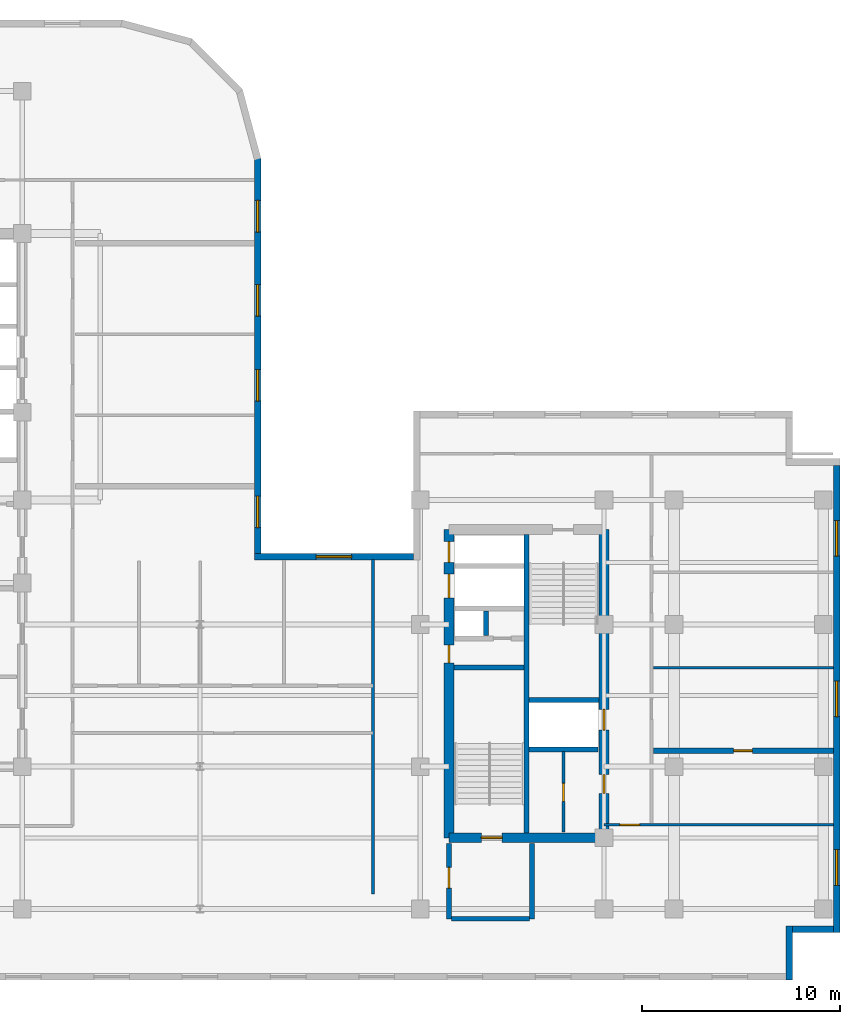
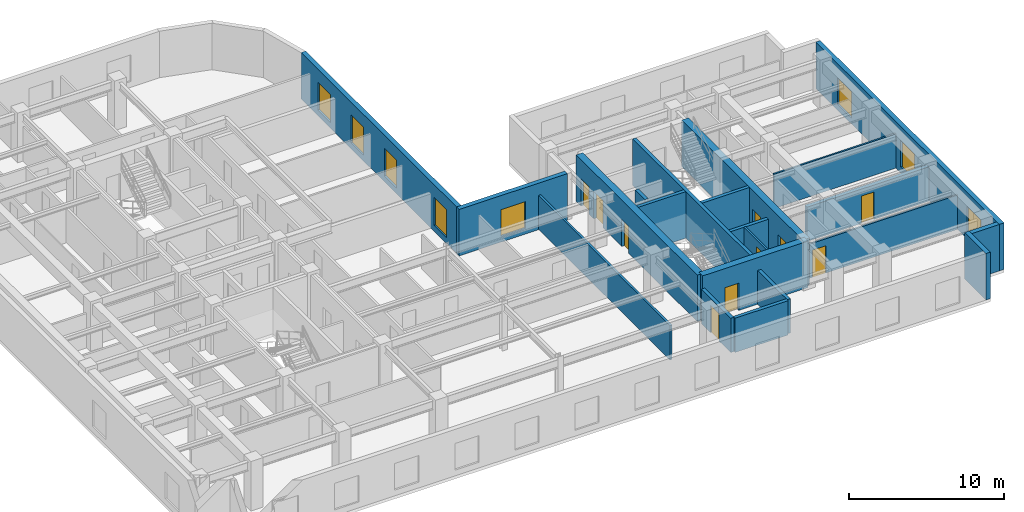
# One storey, part 6 of 11: 21 walls, 10 doors, 8 windows, 18 openings.
"""IFC4 building model written with IfcOpenShell, lengths in metres."""

from ifc_helpers import new_model, entity, si_unit, converted_unit, direction, frame, origin_with_axes, origin_2d_with_axis, place, context, subcontext, project, spatial, polyline, rectangle, outline, extrude, material, layer, layer_set, type_object, element, fill, save


model = new_model("IFC4")

# Units and contexts
model_context = context("Model", 3, precision=1e-05, world=origin_with_axes(), true_north=direction((0.0, 1.0)))
body_context = subcontext(model_context, "Body", "Model", "MODEL_VIEW")
ifc_project = project(units=[si_unit("LENGTHUNIT", "METRE"), si_unit("AREAUNIT", "SQUARE_METRE"), si_unit("VOLUMEUNIT", "CUBIC_METRE"), converted_unit("PLANEANGLEUNIT", "DEGREE", entity("IfcPlaneAngleMeasure", 0.017453292519943295), si_unit("PLANEANGLEUNIT", "RADIAN"), dimensions=[0, 0, 0, 0, 0, 0, 0]), si_unit("MASSUNIT", "GRAM", prefix="KILO"), si_unit("THERMODYNAMICTEMPERATUREUNIT", "KELVIN")], contexts=[model_context])

# Site, building, storey
site_placement = place(None, origin_with_axes())
site = spatial("IfcSite", under=ifc_project, at=site_placement, CompositionType="ELEMENT")
building_placement = place(site_placement, origin_with_axes())
building = spatial("IfcBuilding", under=site, at=building_placement, Name="Varnlund Millrace Tower", CompositionType="ELEMENT")
storey_placement = place(building_placement, frame((0.0, 0.0, 208.2), z_axis=(0.0, 0.0, 1.0), x_axis=(1.0, 0.0, 0.0)))
storey = spatial("IfcBuildingStorey", under=building, at=storey_placement, Name="L51", CompositionType="ELEMENT", Elevation=208.2)

# Wall, openings, doors
ifc_material_1 = material(Name="Concrete C70/85", Category="concrete")
ifc_layer_1 = layer(ifc_material_1, 0.5, Name="Concrete C70/85")
ifc_layer_set_1 = layer_set([ifc_layer_1], Name="Concrete C70/85")
wall_type_1 = type_object("IfcWallType", Name="Type-CoreWall-Shear-500-C70", PredefinedType="SHEAR", material=ifc_layer_set_1)
wall_1_placement = place(storey_placement, frame((40.2, 7.2, 0.0), z_axis=(0.0, 0.0, 1.0), x_axis=(0.0, 1.0, 0.0)))
wall_1 = element("IfcWall", 1, at=wall_1_placement, inside=storey, type_object=wall_type_1, Name="Type-CoreWall-Shear-500-C70", PredefinedType="SHEAR", context=body_context, shape_type="SweptSolid", body=[
    extrude(outline(polyline([(0.0, -0.25), (15.6, -0.25), (15.6, 0.25), (0.0, 0.25), (0.0, -0.25)])), origin_with_axes(), (0.0, 0.0, 1.0), 3.66),
])
opening_1_placement = place(wall_1_placement, frame((14.475, 0.0, 0.0), z_axis=(0.0, 0.0, 1.0), x_axis=(1.0, 0.0, 0.0)))
opening_1 = element("IfcOpeningElement", 2, at=opening_1_placement, cuts=wall_1, Name="Opening L51:LD-ELV-M4", PredefinedType="OPENING", context=body_context, shape_type="SweptSolid", body=[
    extrude(rectangle(XDim=1.05, YDim=0.52, at=origin_2d_with_axis()), origin_with_axes(), (0.0, 0.0, 1.0), 2.15),
])
opening_2_placement = place(wall_1_placement, frame((12.75, 0.0, 0.0), z_axis=(0.0, 0.0, 1.0), x_axis=(1.0, 0.0, 0.0)))
opening_2 = element("IfcOpeningElement", 3, at=opening_2_placement, cuts=wall_1, Name="Opening L51:LD-SRV2", PredefinedType="OPENING", context=body_context, shape_type="SweptSolid", body=[
    extrude(rectangle(XDim=1.2, YDim=0.52, at=origin_2d_with_axis()), origin_with_axes(), (0.0, 0.0, 1.0), 2.15),
])
opening_3_placement = place(wall_1_placement, frame((9.3, 0.0, 0.0), z_axis=(0.0, 0.0, 1.0), x_axis=(1.0, 0.0, 0.0)))
opening_3 = element("IfcOpeningElement", 4, at=opening_3_placement, cuts=wall_1, Name="Opening L51:DR-CB-JAN", PredefinedType="OPENING", context=body_context, shape_type="SweptSolid", body=[
    extrude(rectangle(XDim=0.9, YDim=0.52, at=origin_2d_with_axis()), origin_with_axes(), (0.0, 0.0, 1.0), 2.15),
])
ifc_material_2 = material(Name="Fire-rated hollow steel service closet door", Category="steel")
door_type_1 = type_object("IfcDoorType", Name="Type-FireDoor-Closet-900X2150", OperationType="NOTDEFINED", PredefinedType="DOOR", material=ifc_material_2)
door_1_placement = place(wall_1_placement, frame((9.3, 0.0, 0.0), z_axis=(0.0, 0.0, 1.0), x_axis=(1.0, 0.0, 0.0)))
door_1 = element("IfcDoor", 5, at=door_1_placement, inside=storey, type_object=door_type_1, Name="Type-FireDoor-Closet-900X2150", OperationType="SINGLE_SWING_RIGHT", OverallHeight=2.15, OverallWidth=0.9, PredefinedType="DOOR", context=body_context, shape_type="SweptSolid", body=[
    extrude(rectangle(XDim=0.9, YDim=0.09, at=origin_2d_with_axis()), origin_with_axes(), (0.0, 0.0, 1.0), 2.15),
])
fill(opening_3, door_1)
ifc_material_3 = material(Name="Architectural bronze sliding landing door")
door_type_2 = type_object("IfcDoorType", Name="Type-LiftLandingDoor-Compact-1050X2150", OperationType="NOTDEFINED", PredefinedType="DOOR", material=ifc_material_3)
door_2_placement = place(wall_1_placement, frame((14.475, 0.0, 0.0), z_axis=(0.0, 0.0, 1.0), x_axis=(1.0, 0.0, 0.0)))
door_2 = element("IfcDoor", 6, at=door_2_placement, inside=storey, type_object=door_type_2, Name="Type-LiftLandingDoor-Compact-1050X2150", OperationType="SLIDING_TO_RIGHT", OverallHeight=2.15, OverallWidth=1.05, PredefinedType="DOOR", context=body_context, shape_type="SweptSolid", body=[
    extrude(rectangle(XDim=1.05, YDim=0.09, at=origin_2d_with_axis()), origin_with_axes(), (0.0, 0.0, 1.0), 2.15),
])
fill(opening_1, door_2)
ifc_material_4 = material(Name="Heavy-duty freight sliding landing door")
door_type_3 = type_object("IfcDoorType", Name="Type-LiftLandingDoor-Service-1200X2150", OperationType="NOTDEFINED", PredefinedType="DOOR", material=ifc_material_4)
door_3_placement = place(wall_1_placement, frame((12.75, 0.0, 0.0), z_axis=(0.0, 0.0, 1.0), x_axis=(1.0, 0.0, 0.0)))
door_3 = element("IfcDoor", 7, at=door_3_placement, inside=storey, type_object=door_type_3, Name="Type-LiftLandingDoor-Service-1200X2150", OperationType="DOUBLE_DOOR_SLIDING", OverallHeight=2.15, OverallWidth=1.2, PredefinedType="DOOR", context=body_context, shape_type="SweptSolid", body=[
    extrude(rectangle(XDim=1.2, YDim=0.09, at=origin_2d_with_axis()), origin_with_axes(), (0.0, 0.0, 1.0), 2.15),
])
fill(opening_2, door_3)

# Wall, opening, door
wall_2_placement = place(storey_placement, frame((40.2, 7.2, 0.0), z_axis=(0.0, 0.0, 1.0), x_axis=(1.0, 0.0, 0.0)))
wall_2 = element("IfcWall", 8, at=wall_2_placement, inside=storey, type_object=wall_type_1, Name="Type-CoreWall-Shear-500-C70", PredefinedType="SHEAR", context=body_context, shape_type="SweptSolid", body=[
    extrude(outline(polyline([(0.0, -0.25), (7.85, -0.25), (7.85, 0.25), (0.0, 0.25), (0.0, -0.25)])), origin_with_axes(), (0.0, 0.0, 1.0), 3.66),
])
opening_4_placement = place(wall_2_placement, frame((2.175, 0.0, 0.0), z_axis=(0.0, 0.0, 1.0), x_axis=(1.0, 0.0, 0.0)))
opening_4 = element("IfcOpeningElement", 9, at=opening_4_placement, cuts=wall_2, Name="Opening L51:DR-STB1", PredefinedType="OPENING", context=body_context, shape_type="SweptSolid", body=[
    extrude(rectangle(XDim=1.05, YDim=0.52, at=origin_2d_with_axis()), origin_with_axes(), (0.0, 0.0, 1.0), 2.15),
])
ifc_material_5 = material(Name="Fire-rated hollow steel door", Category="steel")
door_type_4 = type_object("IfcDoorType", Name="Type-FireDoor-Stair-1050X2150", OperationType="NOTDEFINED", PredefinedType="DOOR", material=ifc_material_5)
door_4_placement = place(wall_2_placement, frame((2.175, 0.0, 0.0), z_axis=(0.0, 0.0, 1.0), x_axis=(1.0, 0.0, 0.0)))
door_4 = element("IfcDoor", 10, at=door_4_placement, inside=storey, type_object=door_type_4, Name="Type-FireDoor-Stair-1050X2150", OperationType="SINGLE_SWING_LEFT", OverallHeight=2.15, OverallWidth=1.05, PredefinedType="DOOR", context=body_context, shape_type="SweptSolid", body=[
    extrude(rectangle(XDim=1.05, YDim=0.09, at=origin_2d_with_axis()), origin_with_axes(), (0.0, 0.0, 1.0), 2.15),
])
fill(opening_4, door_4)

# Wall, openings, doors
wall_3_placement = place(storey_placement, frame((48.05, 7.2, 0.0), z_axis=(0.0, 0.0, 1.0), x_axis=(0.0, 1.0, 0.0)))
wall_3 = element("IfcWall", 11, at=wall_3_placement, inside=storey, type_object=wall_type_1, Name="Type-CoreWall-Shear-500-C70", PredefinedType="SHEAR", context=body_context, shape_type="SweptSolid", body=[
    extrude(outline(polyline([(0.0, -0.25), (15.6, -0.25), (15.6, 0.25), (0.0, 0.25), (0.0, -0.25)])), origin_with_axes(), (0.0, 0.0, 1.0), 3.66),
])
opening_5_placement = place(wall_3_placement, frame((5.975, 0.0, 0.0), z_axis=(0.0, 0.0, 1.0), x_axis=(1.0, 0.0, 0.0)))
opening_5 = element("IfcOpeningElement", 12, at=opening_5_placement, cuts=wall_3, Name="Opening L51:LD-ELV-M3", PredefinedType="OPENING", context=body_context, shape_type="SweptSolid", body=[
    extrude(rectangle(XDim=1.05, YDim=0.52, at=origin_2d_with_axis()), origin_with_axes(), (0.0, 0.0, 1.0), 2.15),
])
opening_6_placement = place(wall_3_placement, frame((2.725, 0.0, 0.0), z_axis=(0.0, 0.0, 1.0), x_axis=(1.0, 0.0, 0.0)))
opening_6 = element("IfcOpeningElement", 13, at=opening_6_placement, cuts=wall_3, Name="Opening L51:DR-CB-WC2", PredefinedType="OPENING", context=body_context, shape_type="SweptSolid", body=[
    extrude(rectangle(XDim=0.95, YDim=0.52, at=origin_2d_with_axis()), origin_with_axes(), (0.0, 0.0, 1.0), 2.15),
])
ifc_material_6 = material(Name="Fire-rated hollow steel core service door", Category="steel")
door_type_5 = type_object("IfcDoorType", Name="Type-FireDoor-Service-950X2150", OperationType="NOTDEFINED", PredefinedType="DOOR", material=ifc_material_6)
door_5_placement = place(wall_3_placement, frame((2.725, 0.0, 0.0), z_axis=(0.0, 0.0, 1.0), x_axis=(1.0, 0.0, 0.0)))
door_5 = element("IfcDoor", 14, at=door_5_placement, inside=storey, type_object=door_type_5, Name="Type-FireDoor-Service-950X2150", OperationType="SINGLE_SWING_LEFT", OverallHeight=2.15, OverallWidth=0.95, PredefinedType="DOOR", context=body_context, shape_type="SweptSolid", body=[
    extrude(rectangle(XDim=0.95, YDim=0.09, at=origin_2d_with_axis()), origin_with_axes(), (0.0, 0.0, 1.0), 2.15),
])
fill(opening_6, door_5)
door_6_placement = place(wall_3_placement, frame((5.975, 0.0, 0.0), z_axis=(0.0, 0.0, 1.0), x_axis=(1.0, 0.0, 0.0)))
door_6 = element("IfcDoor", 15, at=door_6_placement, inside=storey, type_object=door_type_2, Name="Type-LiftLandingDoor-Compact-1050X2150", OperationType="SLIDING_TO_LEFT", OverallHeight=2.15, OverallWidth=1.05, PredefinedType="DOOR", context=body_context, shape_type="SweptSolid", body=[
    extrude(rectangle(XDim=1.05, YDim=0.09, at=origin_2d_with_axis()), origin_with_axes(), (0.0, 0.0, 1.0), 2.15),
])
fill(opening_5, door_6)

# Wall, openings, windows
ifc_material_7 = material(Name="Precast concrete C50/60", Category="concrete")
ifc_layer_2 = layer(ifc_material_7, 0.34, Name="Precast concrete C50/60")
ifc_layer_set_2 = layer_set([ifc_layer_2], Name="Precast concrete C50/60")
wall_type_2 = type_object("IfcWallType", Name="Type-ExtWall-Precast-Upper-340", PredefinedType="SOLIDWALL", material=ifc_layer_set_2)
wall_4_placement = place(storey_placement, frame((59.83, 26.06, 0.0), z_axis=(0.0, 0.0, 1.0), x_axis=(0.0, -1.0, 0.0)))
wall_4 = element("IfcWall", 16, at=wall_4_placement, inside=storey, type_object=wall_type_2, Name="Type-ExtWall-Precast-Upper-340", PredefinedType="SOLIDWALL", context=body_context, shape_type="SweptSolid", body=[
    extrude(outline(polyline([(0.0, -0.17), (23.66, -0.17), (23.66, 0.17), (0.0, 0.17), (0.0, -0.17)])), origin_with_axes(), (0.0, 0.0, 1.0), 3.66),
])
opening_7_placement = place(wall_4_placement, frame((3.696, 0.0, 0.45), z_axis=(0.0, 0.0, 1.0), x_axis=(1.0, 0.0, 0.0)))
opening_7 = element("IfcOpeningElement", 17, at=opening_7_placement, cuts=wall_4, Name="Opening L51:WN-05", PredefinedType="OPENING", context=body_context, shape_type="SweptSolid", body=[
    extrude(rectangle(XDim=1.8, YDim=0.36, at=origin_2d_with_axis()), origin_with_axes(), (0.0, 0.0, 1.0), 2.1),
])
opening_8_placement = place(wall_4_placement, frame((11.83, 0.0, 0.45), z_axis=(0.0, 0.0, 1.0), x_axis=(1.0, 0.0, 0.0)))
opening_8 = element("IfcOpeningElement", 18, at=opening_8_placement, cuts=wall_4, Name="Opening L51:WN-06", PredefinedType="OPENING", context=body_context, shape_type="SweptSolid", body=[
    extrude(rectangle(XDim=1.8, YDim=0.36, at=origin_2d_with_axis()), origin_with_axes(), (0.0, 0.0, 1.0), 2.1),
])
opening_9_placement = place(wall_4_placement, frame((20.364, 0.0, 0.45), z_axis=(0.0, 0.0, 1.0), x_axis=(1.0, 0.0, 0.0)))
opening_9 = element("IfcOpeningElement", 19, at=opening_9_placement, cuts=wall_4, Name="Opening L51:WN-07", PredefinedType="OPENING", context=body_context, shape_type="SweptSolid", body=[
    extrude(rectangle(XDim=1.8, YDim=0.36, at=origin_2d_with_axis()), origin_with_axes(), (0.0, 0.0, 1.0), 2.1),
])
ifc_material_8 = material(Name="Argon low-e triple glazing in thermally broken bronze frame", Category="glass")
window_type_1 = type_object("IfcWindowType", Name="Type-Window-Punched-1800X2100", PartitioningType="SINGLE_PANEL", PredefinedType="WINDOW", material=ifc_material_8)
window_1_placement = place(wall_4_placement, frame((3.696, 0.0, 0.45), z_axis=(0.0, 0.0, 1.0), x_axis=(1.0, 0.0, 0.0)))
window_1 = element("IfcWindow", 20, at=window_1_placement, inside=storey, type_object=window_type_1, Name="Type-Window-Punched-1800X2100", OverallHeight=2.1, OverallWidth=1.8, PredefinedType="WINDOW", context=body_context, shape_type="SweptSolid", body=[
    extrude(rectangle(XDim=1.8, YDim=0.09, at=origin_2d_with_axis()), origin_with_axes(), (0.0, 0.0, 1.0), 2.1),
])
fill(opening_7, window_1)
window_2_placement = place(wall_4_placement, frame((11.83, 0.0, 0.45), z_axis=(0.0, 0.0, 1.0), x_axis=(1.0, 0.0, 0.0)))
window_2 = element("IfcWindow", 21, at=window_2_placement, inside=storey, type_object=window_type_1, Name="Type-Window-Punched-1800X2100", OverallHeight=2.1, OverallWidth=1.8, PredefinedType="WINDOW", context=body_context, shape_type="SweptSolid", body=[
    extrude(rectangle(XDim=1.8, YDim=0.09, at=origin_2d_with_axis()), origin_with_axes(), (0.0, 0.0, 1.0), 2.1),
])
fill(opening_8, window_2)
window_3_placement = place(wall_4_placement, frame((20.364, 0.0, 0.45), z_axis=(0.0, 0.0, 1.0), x_axis=(1.0, 0.0, 0.0)))
window_3 = element("IfcWindow", 22, at=window_3_placement, inside=storey, type_object=window_type_1, Name="Type-Window-Punched-1800X2100", OverallHeight=2.1, OverallWidth=1.8, PredefinedType="WINDOW", context=body_context, shape_type="SweptSolid", body=[
    extrude(rectangle(XDim=1.8, YDim=0.09, at=origin_2d_with_axis()), origin_with_axes(), (0.0, 0.0, 1.0), 2.1),
])
fill(opening_9, window_3)

# Walls
wall_5_placement = place(storey_placement, frame((59.66, 2.57, 0.0), z_axis=(0.0, 0.0, 1.0), x_axis=(-1.0, 0.0, 0.0)))
element("IfcWall", 23, at=wall_5_placement, inside=storey, type_object=wall_type_2, Name="Type-ExtWall-Precast-Upper-340", PredefinedType="SOLIDWALL", context=body_context, shape_type="SweptSolid", body=[
    extrude(outline(polyline([(0.0, -0.17), (2.06, -0.17), (2.06, 0.17), (0.0, 0.17), (0.0, -0.17)])), origin_with_axes(), (0.0, 0.0, 1.0), 3.66),
])
wall_6_placement = place(storey_placement, frame((57.43, 2.74, 0.0), z_axis=(0.0, 0.0, 1.0), x_axis=(0.0, -1.0, 0.0)))
element("IfcWall", 24, at=wall_6_placement, inside=storey, type_object=wall_type_2, Name="Type-ExtWall-Precast-Upper-340", PredefinedType="SOLIDWALL", context=body_context, shape_type="SweptSolid", body=[
    extrude(outline(polyline([(0.0, -0.17), (2.74, -0.17), (2.74, 0.17), (0.0, 0.17), (0.0, -0.17)])), origin_with_axes(), (0.0, 0.0, 1.0), 3.66),
])

# Wall, openings, windows
wall_7_placement = place(storey_placement, frame((30.516, 41.62, 0.0), z_axis=(0.0, 0.0, 1.0), x_axis=(0.0, -1.0, 0.0)))
wall_7 = element("IfcWall", 25, at=wall_7_placement, inside=storey, type_object=wall_type_2, Name="Type-ExtWall-Precast-Upper-340", PredefinedType="SOLIDWALL", context=body_context, shape_type="SweptSolid", body=[
    extrude(outline(polyline([(0.0, -0.17), (20.02, -0.17), (20.02, 0.17), (0.0, 0.17), (0.0, -0.17)])), origin_with_axes(), (0.0, 0.0, 1.0), 3.66),
])
opening_10_placement = place(wall_7_placement, frame((2.952, 0.0, 0.45), z_axis=(0.0, 0.0, 1.0), x_axis=(1.0, 0.0, 0.0)))
opening_10 = element("IfcOpeningElement", 26, at=opening_10_placement, cuts=wall_7, Name="Opening L51:WN-29", PredefinedType="OPENING", context=body_context, shape_type="SweptSolid", body=[
    extrude(rectangle(XDim=1.6, YDim=0.36, at=origin_2d_with_axis()), origin_with_axes(), (0.0, 0.0, 1.0), 2.2),
])
opening_11_placement = place(wall_7_placement, frame((7.207, 0.0, 0.45), z_axis=(0.0, 0.0, 1.0), x_axis=(1.0, 0.0, 0.0)))
opening_11 = element("IfcOpeningElement", 27, at=opening_11_placement, cuts=wall_7, Name="Opening L51:WN-30", PredefinedType="OPENING", context=body_context, shape_type="SweptSolid", body=[
    extrude(rectangle(XDim=1.6, YDim=0.36, at=origin_2d_with_axis()), origin_with_axes(), (0.0, 0.0, 1.0), 2.2),
])
opening_12_placement = place(wall_7_placement, frame((11.512, 0.0, 0.45), z_axis=(0.0, 0.0, 1.0), x_axis=(1.0, 0.0, 0.0)))
opening_12 = element("IfcOpeningElement", 28, at=opening_12_placement, cuts=wall_7, Name="Opening L51:WN-31", PredefinedType="OPENING", context=body_context, shape_type="SweptSolid", body=[
    extrude(rectangle(XDim=1.6, YDim=0.36, at=origin_2d_with_axis()), origin_with_axes(), (0.0, 0.0, 1.0), 2.2),
])
opening_13_placement = place(wall_7_placement, frame((17.917, 0.0, 0.45), z_axis=(0.0, 0.0, 1.0), x_axis=(1.0, 0.0, 0.0)))
opening_13 = element("IfcOpeningElement", 29, at=opening_13_placement, cuts=wall_7, Name="Opening L51:WN-32", PredefinedType="OPENING", context=body_context, shape_type="SweptSolid", body=[
    extrude(rectangle(XDim=1.6, YDim=0.36, at=origin_2d_with_axis()), origin_with_axes(), (0.0, 0.0, 1.0), 2.2),
])
window_type_2 = type_object("IfcWindowType", Name="Type-Window-Slot-1600X2200", PartitioningType="SINGLE_PANEL", PredefinedType="WINDOW", material=ifc_material_8)
window_4_placement = place(wall_7_placement, frame((2.952, 0.0, 0.45), z_axis=(0.0, 0.0, 1.0), x_axis=(1.0, 0.0, 0.0)))
window_4 = element("IfcWindow", 30, at=window_4_placement, inside=storey, type_object=window_type_2, Name="Type-Window-Slot-1600X2200", OverallHeight=2.2, OverallWidth=1.6, PredefinedType="WINDOW", context=body_context, shape_type="SweptSolid", body=[
    extrude(rectangle(XDim=1.6, YDim=0.09, at=origin_2d_with_axis()), origin_with_axes(), (0.0, 0.0, 1.0), 2.2),
])
fill(opening_10, window_4)
window_5_placement = place(wall_7_placement, frame((7.207, 0.0, 0.45), z_axis=(0.0, 0.0, 1.0), x_axis=(1.0, 0.0, 0.0)))
window_5 = element("IfcWindow", 31, at=window_5_placement, inside=storey, type_object=window_type_2, Name="Type-Window-Slot-1600X2200", OverallHeight=2.2, OverallWidth=1.6, PredefinedType="WINDOW", context=body_context, shape_type="SweptSolid", body=[
    extrude(rectangle(XDim=1.6, YDim=0.09, at=origin_2d_with_axis()), origin_with_axes(), (0.0, 0.0, 1.0), 2.2),
])
fill(opening_11, window_5)
window_6_placement = place(wall_7_placement, frame((11.512, 0.0, 0.45), z_axis=(0.0, 0.0, 1.0), x_axis=(1.0, 0.0, 0.0)))
window_6 = element("IfcWindow", 32, at=window_6_placement, inside=storey, type_object=window_type_2, Name="Type-Window-Slot-1600X2200", OverallHeight=2.2, OverallWidth=1.6, PredefinedType="WINDOW", context=body_context, shape_type="SweptSolid", body=[
    extrude(rectangle(XDim=1.6, YDim=0.09, at=origin_2d_with_axis()), origin_with_axes(), (0.0, 0.0, 1.0), 2.2),
])
fill(opening_12, window_6)
window_7_placement = place(wall_7_placement, frame((17.917, 0.0, 0.45), z_axis=(0.0, 0.0, 1.0), x_axis=(1.0, 0.0, 0.0)))
window_7 = element("IfcWindow", 33, at=window_7_placement, inside=storey, type_object=window_type_2, Name="Type-Window-Slot-1600X2200", OverallHeight=2.2, OverallWidth=1.6, PredefinedType="WINDOW", context=body_context, shape_type="SweptSolid", body=[
    extrude(rectangle(XDim=1.6, YDim=0.09, at=origin_2d_with_axis()), origin_with_axes(), (0.0, 0.0, 1.0), 2.2),
])
fill(opening_13, window_7)

# Wall, opening, window
wall_8_placement = place(storey_placement, frame((30.346, 21.43, 0.0), z_axis=(0.0, 0.0, 1.0), x_axis=(1.0, 0.0, 0.0)))
wall_8 = element("IfcWall", 34, at=wall_8_placement, inside=storey, type_object=wall_type_2, Name="Type-ExtWall-Precast-Upper-340", PredefinedType="SOLIDWALL", context=body_context, shape_type="SweptSolid", body=[
    extrude(outline(polyline([(0.0, -0.17), (8.054, -0.17), (8.054, 0.17), (0.0, 0.17), (0.0, -0.17)])), origin_with_axes(), (0.0, 0.0, 1.0), 3.66),
])
opening_14_placement = place(wall_8_placement, frame((4.027, 0.0, 0.45), z_axis=(0.0, 0.0, 1.0), x_axis=(1.0, 0.0, 0.0)))
opening_14 = element("IfcOpeningElement", 35, at=opening_14_placement, cuts=wall_8, Name="Opening L51:WN-33", PredefinedType="OPENING", context=body_context, shape_type="SweptSolid", body=[
    extrude(rectangle(XDim=1.8, YDim=0.36, at=origin_2d_with_axis()), origin_with_axes(), (0.0, 0.0, 1.0), 2.1),
])
window_8_placement = place(wall_8_placement, frame((4.027, 0.0, 0.45), z_axis=(0.0, 0.0, 1.0), x_axis=(1.0, 0.0, 0.0)))
window_8 = element("IfcWindow", 36, at=window_8_placement, inside=storey, type_object=window_type_1, Name="Type-Window-Punched-1800X2100", OverallHeight=2.1, OverallWidth=1.8, PredefinedType="WINDOW", context=body_context, shape_type="SweptSolid", body=[
    extrude(rectangle(XDim=1.8, YDim=0.09, at=origin_2d_with_axis()), origin_with_axes(), (0.0, 0.0, 1.0), 2.1),
])
fill(opening_14, window_8)

# Wall, opening, door
ifc_material_9 = material(Name="Double-stud STC-60 conference acoustic partition", Category="gypsum")
ifc_layer_3 = layer(ifc_material_9, 0.28, Name="Double-stud STC-60 conference acoustic partition")
ifc_layer_set_3 = layer_set([ifc_layer_3], Name="Double-stud STC-60 conference acoustic partition")
wall_type_3 = type_object("IfcWallType", Name="Type-Partition-Acoustic-280", PredefinedType="PARTITIONING", material=ifc_layer_set_3)
wall_9_placement = place(storey_placement, frame((50.57, 11.603, 0.0), z_axis=(0.0, 0.0, 1.0), x_axis=(1.0, 0.0, 0.0)))
wall_9 = element("IfcWall", 37, at=wall_9_placement, inside=storey, type_object=wall_type_3, Name="Type-Partition-Acoustic-280", PredefinedType="PARTITIONING", context=body_context, shape_type="SweptSolid", body=[
    extrude(outline(polyline([(0.0, -0.14), (9.095, -0.14), (9.095, 0.14), (0.0, 0.14), (0.0, -0.14)])), origin_with_axes(), (0.0, 0.0, 1.0), 2.7),
])
opening_15_placement = place(wall_9_placement, frame((4.525, 0.0, 0.0), z_axis=(0.0, 0.0, 1.0), x_axis=(1.0, 0.0, 0.0)))
opening_15 = element("IfcOpeningElement", 38, at=opening_15_placement, cuts=wall_9, Name="Opening L51:DR-WB-01", PredefinedType="OPENING", context=body_context, shape_type="SweptSolid", body=[
    extrude(rectangle(XDim=0.95, YDim=0.3, at=origin_2d_with_axis()), origin_with_axes(), (0.0, 0.0, 1.0), 2.15),
])
ifc_material_10 = material(Name="Solid-core acoustic office door")
door_type_6 = type_object("IfcDoorType", Name="Type-IntDoor-Tenant-950X2150", OperationType="NOTDEFINED", PredefinedType="DOOR", material=ifc_material_10)
door_7_placement = place(wall_9_placement, frame((4.525, 0.0, 0.0), z_axis=(0.0, 0.0, 1.0), x_axis=(1.0, 0.0, 0.0)))
door_7 = element("IfcDoor", 39, at=door_7_placement, inside=storey, type_object=door_type_6, Name="Type-IntDoor-Tenant-950X2150", OperationType="SINGLE_SWING_LEFT", OverallHeight=2.15, OverallWidth=0.95, PredefinedType="DOOR", context=body_context, shape_type="SweptSolid", body=[
    extrude(rectangle(XDim=0.95, YDim=0.09, at=origin_2d_with_axis()), origin_with_axes(), (0.0, 0.0, 1.0), 2.15),
])
fill(opening_15, door_7)

# Wall
ifc_material_11 = material(Name="Fire-rated gypsum board on cold-formed steel framing", Category="steel")
ifc_layer_4 = layer(ifc_material_11, 0.16, Name="Fire-rated gypsum board on cold-formed steel framing")
ifc_layer_set_4 = layer_set([ifc_layer_4], Name="Fire-rated gypsum board on cold-formed steel framing")
wall_type_4 = type_object("IfcWallType", Name="Type-Partition-Corridor-160", PredefinedType="PARTITIONING", material=ifc_layer_set_4)
wall_10_placement = place(storey_placement, frame((36.35, 4.35, 0.0), z_axis=(0.0, 0.0, 1.0), x_axis=(0.0, 1.0, 0.0)))
element("IfcWall", 40, at=wall_10_placement, inside=storey, type_object=wall_type_4, Name="Type-Partition-Corridor-160", PredefinedType="PARTITIONING", context=body_context, shape_type="SweptSolid", body=[
    extrude(outline(polyline([(0.0, -0.08), (16.95, -0.08), (16.95, 0.08), (0.0, 0.08), (0.0, -0.08)])), origin_with_axes(), (0.0, 0.0, 1.0), 2.7),
])

# Wall, opening, door
ifc_material_12 = material(Name="Gypsum board tenant partition", Category="gypsum")
ifc_layer_5 = layer(ifc_material_12, 0.125, Name="Gypsum board tenant partition")
ifc_layer_set_5 = layer_set([ifc_layer_5], Name="Gypsum board tenant partition")
wall_type_5 = type_object("IfcWallType", Name="Type-Partition-Tenant-125", PredefinedType="PARTITIONING", material=ifc_layer_set_5)
wall_11_placement = place(storey_placement, frame((59.665, 7.85, 0.0), z_axis=(0.0, 0.0, 1.0), x_axis=(-1.0, 0.0, 0.0)))
wall_11 = element("IfcWall", 41, at=wall_11_placement, inside=storey, type_object=wall_type_5, Name="Type-Partition-Tenant-125", PredefinedType="PARTITIONING", context=body_context, shape_type="SweptSolid", body=[
    extrude(outline(polyline([(0.0, -0.0625), (11.615, -0.0625), (11.615, 0.0625), (0.0, 0.0625), (0.0, -0.0625)])), origin_with_axes(), (0.0, 0.0, 1.0), 2.7),
])
opening_16_placement = place(wall_11_placement, frame((10.315, 0.0, 0.0), z_axis=(0.0, 0.0, 1.0), x_axis=(1.0, 0.0, 0.0)))
opening_16 = element("IfcOpeningElement", 42, at=opening_16_placement, cuts=wall_11, Name="Opening L51:DR-WBS-01", PredefinedType="OPENING", context=body_context, shape_type="SweptSolid", body=[
    extrude(rectangle(XDim=1.0, YDim=0.145, at=origin_2d_with_axis()), origin_with_axes(), (0.0, 0.0, 1.0), 2.15),
])
ifc_material_13 = material(Name="Solid-core white oak and bronze frame door")
door_type_7 = type_object("IfcDoorType", Name="Type-IntDoor-Office-1000X2150", OperationType="NOTDEFINED", PredefinedType="DOOR", material=ifc_material_13)
door_8_placement = place(wall_11_placement, frame((10.315, 0.0, 0.0), z_axis=(0.0, 0.0, 1.0), x_axis=(1.0, 0.0, 0.0)))
door_8 = element("IfcDoor", 43, at=door_8_placement, inside=storey, type_object=door_type_7, Name="Type-IntDoor-Office-1000X2150", OperationType="SINGLE_SWING_LEFT", OverallHeight=2.15, OverallWidth=1.0, PredefinedType="DOOR", context=body_context, shape_type="SweptSolid", body=[
    extrude(rectangle(XDim=1.0, YDim=0.075, at=origin_2d_with_axis()), origin_with_axes(), (0.0, 0.0, 1.0), 2.15),
])
fill(opening_16, door_8)

# Wall
wall_12_placement = place(storey_placement, frame((50.57, 15.801, 0.0), z_axis=(0.0, 0.0, 1.0), x_axis=(1.0, 0.0, 0.0)))
element("IfcWall", 44, at=wall_12_placement, inside=storey, type_object=wall_type_5, Name="Type-Partition-Tenant-125", PredefinedType="PARTITIONING", context=body_context, shape_type="SweptSolid", body=[
    extrude(outline(polyline([(0.0, -0.0625), (9.095, -0.0625), (9.095, 0.0625), (0.0, 0.0625), (0.0, -0.0625)])), origin_with_axes(), (0.0, 0.0, 1.0), 2.7),
])

# Wall, opening, door
ifc_material_14 = material(Name="Moisture-resistant gypsum restroom partition", Category="gypsum")
ifc_layer_6 = layer(ifc_material_14, 0.14, Name="Moisture-resistant gypsum restroom partition")
ifc_layer_set_6 = layer_set([ifc_layer_6], Name="Moisture-resistant gypsum restroom partition")
wall_type_6 = type_object("IfcWallType", Name="Type-Partition-Wet-140", PredefinedType="PARTITIONING", material=ifc_layer_set_6)
wall_13_placement = place(storey_placement, frame((46.0, 7.5, 0.0), z_axis=(0.0, 0.0, 1.0), x_axis=(0.0, 1.0, 0.0)))
wall_13 = element("IfcWall", 45, at=wall_13_placement, inside=storey, type_object=wall_type_6, Name="Type-Partition-Wet-140", PredefinedType="PARTITIONING", context=body_context, shape_type="SweptSolid", body=[
    extrude(outline(polyline([(0.0, -0.07), (4.08, -0.07), (4.08, 0.07), (0.0, 0.07), (0.0, -0.07)])), origin_with_axes(), (0.0, 0.0, 1.0), 2.7),
])
opening_17_placement = place(wall_13_placement, frame((2.0, 0.0, 0.0), z_axis=(0.0, 0.0, 1.0), x_axis=(1.0, 0.0, 0.0)))
opening_17 = element("IfcOpeningElement", 46, at=opening_17_placement, cuts=wall_13, Name="Opening L51:DR-CB-WC1", PredefinedType="OPENING", context=body_context, shape_type="SweptSolid", body=[
    extrude(rectangle(XDim=0.9, YDim=0.16, at=origin_2d_with_axis()), origin_with_axes(), (0.0, 0.0, 1.0), 2.15),
])
ifc_material_15 = material(Name="Painted steel riser and closet door", Category="steel")
door_type_8 = type_object("IfcDoorType", Name="Type-IntDoor-Closet-900X2150", OperationType="NOTDEFINED", PredefinedType="DOOR", material=ifc_material_15)
door_9_placement = place(wall_13_placement, frame((2.0, 0.0, 0.0), z_axis=(0.0, 0.0, 1.0), x_axis=(1.0, 0.0, 0.0)))
door_9 = element("IfcDoor", 47, at=door_9_placement, inside=storey, type_object=door_type_8, Name="Type-IntDoor-Closet-900X2150", OperationType="SINGLE_SWING_LEFT", OverallHeight=2.15, OverallWidth=0.9, PredefinedType="DOOR", context=body_context, shape_type="SweptSolid", body=[
    extrude(rectangle(XDim=0.9, YDim=0.084, at=origin_2d_with_axis()), origin_with_axes(), (0.0, 0.0, 1.0), 2.15),
])
fill(opening_17, door_9)

# Wall
ifc_material_16 = material(Name="Concrete C60/75", Category="concrete")
ifc_layer_7 = layer(ifc_material_16, 0.25, Name="Concrete C60/75")
ifc_layer_set_7 = layer_set([ifc_layer_7], Name="Concrete C60/75")
wall_type_7 = type_object("IfcWallType", Name="Type-ShaftWall-Fire-250", PredefinedType="SOLIDWALL", material=ifc_layer_set_7)
wall_14_placement = place(storey_placement, frame((42.075, 17.43, 0.0), z_axis=(0.0, 0.0, 1.0), x_axis=(0.0, 1.0, 0.0)))
element("IfcWall", 48, at=wall_14_placement, inside=storey, type_object=wall_type_7, Name="Type-ShaftWall-Fire-250", PredefinedType="SOLIDWALL", context=body_context, shape_type="SweptSolid", body=[
    extrude(outline(polyline([(0.0, -0.125), (1.24, -0.125), (1.24, 0.125), (0.0, 0.125), (0.0, -0.125)])), origin_with_axes(), (0.0, 0.0, 1.0), 2.7),
])

# Wall, opening, door
wall_15_placement = place(storey_placement, frame((40.2, 3.1, 0.0), z_axis=(0.0, 0.0, 1.0), x_axis=(0.0, 1.0, 0.0)))
wall_15 = element("IfcWall", 49, at=wall_15_placement, inside=storey, type_object=wall_type_7, Name="Type-ShaftWall-Fire-250", PredefinedType="SOLIDWALL", context=body_context, shape_type="SweptSolid", body=[
    extrude(outline(polyline([(0.0, -0.125), (3.8, -0.125), (3.8, 0.125), (0.0, 0.125), (0.0, -0.125)])), origin_with_axes(), (0.0, 0.0, 1.0), 2.7),
])
opening_18_placement = place(wall_15_placement, frame((2.075, 0.0, 0.0), z_axis=(0.0, 0.0, 1.0), x_axis=(1.0, 0.0, 0.0)))
opening_18 = element("IfcOpeningElement", 50, at=opening_18_placement, cuts=wall_15, Name="Opening L51:DR-FFLOB-B", PredefinedType="OPENING", context=body_context, shape_type="SweptSolid", body=[
    extrude(rectangle(XDim=1.05, YDim=0.27, at=origin_2d_with_axis()), origin_with_axes(), (0.0, 0.0, 1.0), 2.15),
])
ifc_material_17 = material(Name="Smoke-barrier hollow steel fire door", Category="steel")
door_type_9 = type_object("IfcDoorType", Name="Type-FireDoor-Lobby-1050X2150", OperationType="NOTDEFINED", PredefinedType="DOOR", material=ifc_material_17)
door_10_placement = place(wall_15_placement, frame((2.075, 0.0, 0.0), z_axis=(0.0, 0.0, 1.0), x_axis=(1.0, 0.0, 0.0)))
door_10 = element("IfcDoor", 51, at=door_10_placement, inside=storey, type_object=door_type_9, Name="Type-FireDoor-Lobby-1050X2150", OperationType="SINGLE_SWING_LEFT", OverallHeight=2.15, OverallWidth=1.05, PredefinedType="DOOR", context=body_context, shape_type="SweptSolid", body=[
    extrude(rectangle(XDim=1.05, YDim=0.09, at=origin_2d_with_axis()), origin_with_axes(), (0.0, 0.0, 1.0), 2.15),
])
fill(opening_18, door_10)

# Walls
wall_16_placement = place(storey_placement, frame((40.325, 3.1, 0.0), z_axis=(0.0, 0.0, 1.0), x_axis=(1.0, 0.0, 0.0)))
element("IfcWall", 52, at=wall_16_placement, inside=storey, type_object=wall_type_7, Name="Type-ShaftWall-Fire-250", PredefinedType="SOLIDWALL", context=body_context, shape_type="SweptSolid", body=[
    extrude(outline(polyline([(0.0, -0.125), (3.95, -0.125), (3.95, 0.125), (0.0, 0.125), (0.0, -0.125)])), origin_with_axes(), (0.0, 0.0, 1.0), 2.7),
])
wall_17_placement = place(storey_placement, frame((44.4, 3.1, 0.0), z_axis=(0.0, 0.0, 1.0), x_axis=(0.0, 1.0, 0.0)))
element("IfcWall", 53, at=wall_17_placement, inside=storey, type_object=wall_type_7, Name="Type-ShaftWall-Fire-250", PredefinedType="SOLIDWALL", context=body_context, shape_type="SweptSolid", body=[
    extrude(outline(polyline([(0.0, -0.125), (3.8, -0.125), (3.8, 0.125), (0.0, 0.125), (0.0, -0.125)])), origin_with_axes(), (0.0, 0.0, 1.0), 2.7),
])
wall_18_placement = place(storey_placement, frame((44.25, 11.66, 0.0), z_axis=(0.0, 0.0, 1.0), x_axis=(1.0, 0.0, 0.0)))
element("IfcWall", 54, at=wall_18_placement, inside=storey, type_object=wall_type_7, Name="Type-ShaftWall-Fire-250", PredefinedType="SOLIDWALL", context=body_context, shape_type="SweptSolid", body=[
    extrude(outline(polyline([(0.0, -0.125), (3.5, -0.125), (3.5, 0.125), (0.0, 0.125), (0.0, -0.125)])), origin_with_axes(), (0.0, 0.0, 1.0), 2.7),
])
wall_type_8 = type_object("IfcWallType", Name="Type-StairWall-Shear-250", PredefinedType="SHEAR", material=ifc_layer_set_7)
wall_19_placement = place(storey_placement, frame((44.125, 7.45, 0.0), z_axis=(0.0, 0.0, 1.0), x_axis=(0.0, 1.0, 0.0)))
element("IfcWall", 55, at=wall_19_placement, inside=storey, type_object=wall_type_8, Name="Type-StairWall-Shear-250", PredefinedType="SHEAR", context=body_context, shape_type="SweptSolid", body=[
    extrude(outline(polyline([(0.0, -0.125), (15.1, -0.125), (15.1, 0.125), (0.0, 0.125), (0.0, -0.125)])), origin_with_axes(), (0.0, 0.0, 1.0), 3.66),
])
for number, where, z_axis, x_axis, name in (
    (56, (40.45, 15.825, 0.0), (0.0, 0.0, 1.0), (1.0, 0.0, 0.0), "Type-StairWall-Shear-250"),
    (57, (44.25, 14.175, 0.0), (0.0, 0.0, 1.0), (1.0, 0.0, 0.0), "Type-StairWall-Shear-250"),
):
    element("IfcWall", number, at=place(storey_placement, frame(where, z_axis=z_axis, x_axis=x_axis)), inside=storey, type_object=wall_type_8, Name=name, PredefinedType="SHEAR", context=body_context, shape_type="SweptSolid", body=[
        extrude(outline(polyline([(0.0, -0.125), (3.55, -0.125), (3.55, 0.125), (0.0, 0.125), (0.0, -0.125)])), origin_with_axes(), (0.0, 0.0, 1.0), 3.66),
    ])

save(model, "model.ifc")
